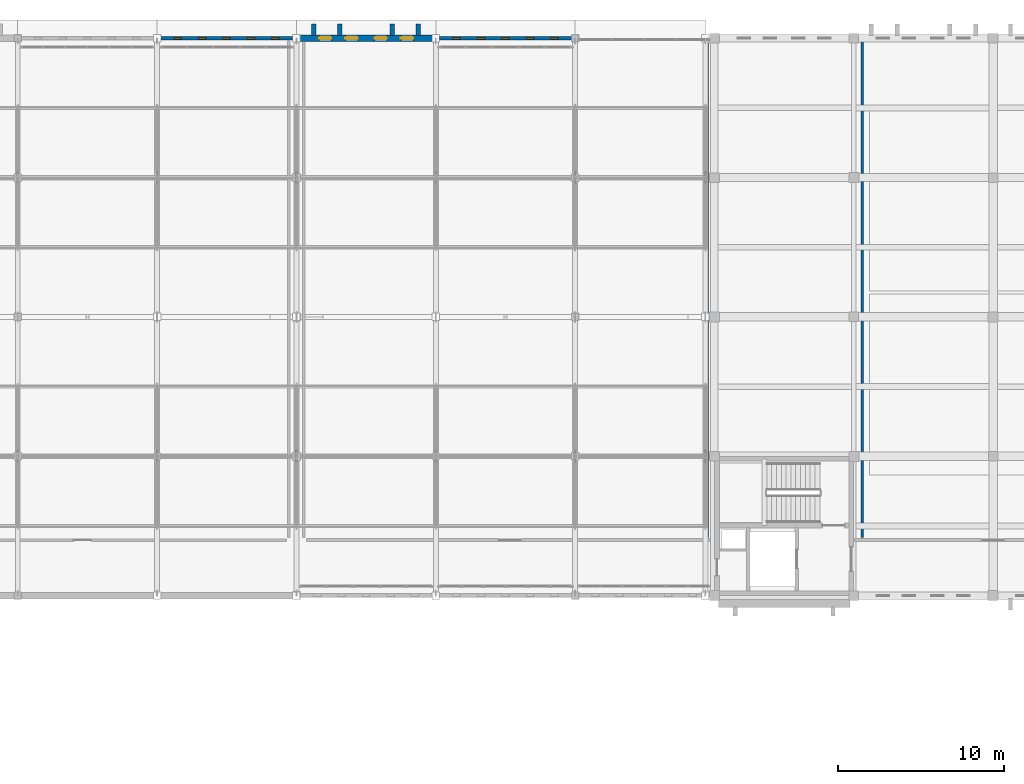
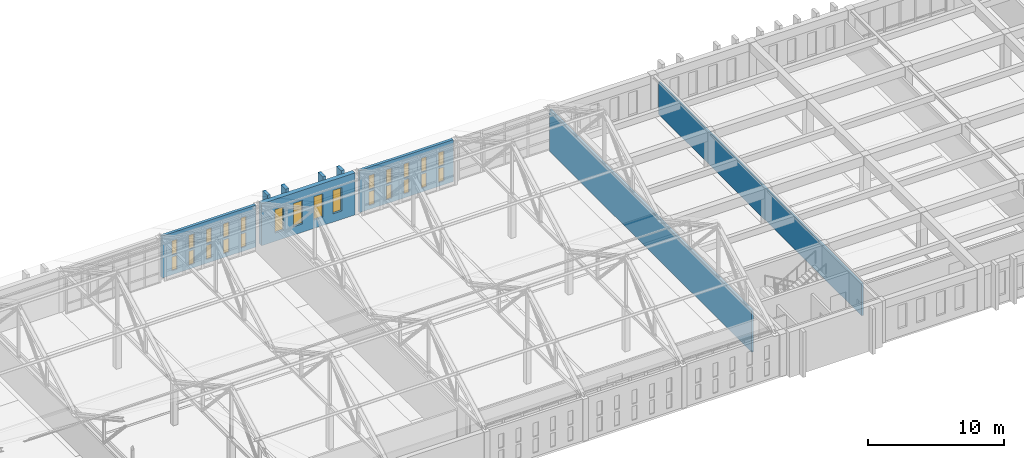
# One storey, part 94 of 110: 24 windows, 9 walls, 24 openings.
"""IFC4 building model written with IfcOpenShell, lengths in metres."""

from ifc_helpers import new_model, si_unit, direction, frame, frame_2d, origin, place, context, subcontext, project, spatial, rectangle, extrude, material, layer, layer_set, type_object, element, fill, save


model = new_model("IFC4")

# Units and contexts
model_context = context("Model", 3, precision=1e-05, world=origin(), true_north=direction((0.0, 1.0)))
body_context = subcontext(model_context, "Body", "Model", "MODEL_VIEW")
ifc_project = project(units=[si_unit("LENGTHUNIT", "METRE"), si_unit("AREAUNIT", "SQUARE_METRE"), si_unit("VOLUMEUNIT", "CUBIC_METRE"), si_unit("PLANEANGLEUNIT", "RADIAN"), si_unit("MASSUNIT", "GRAM", prefix="KILO")], contexts=[model_context])

# Site, building, storey
site_placement = place(None, origin())
site = spatial("IfcSite", under=ifc_project, at=site_placement, CompositionType="ELEMENT")
building_placement = place(site_placement, origin())
building = spatial("IfcBuilding", under=site, at=building_placement, Name="Kveldsbrygga Polytechnic", CompositionType="ELEMENT")
storey_placement = place(building_placement, frame((0.0, 0.0, 9.860107421875)))
storey = spatial("IfcBuildingStorey", under=building, at=storey_placement, Name="L02", CompositionType="ELEMENT", Elevation=9.860107421875)

# Wall, openings, windows
ifc_material_1 = material(Name="Fired clay brick masonry M10", Category="masonry")
ifc_layer_1 = layer(ifc_material_1, 0.3798828125)
ifc_layer_set_1 = layer_set([ifc_layer_1], Name="Fired clay brick masonry M10")
wall_type_1 = type_object("IfcWallType", Name="EW-BRICK-380", PredefinedType="SOLIDWALL", material=ifc_layer_set_1)
wall_1_placement = place(storey_placement, frame((75.824951171875, 117.60009765625, 0.0), z_axis=(0.0, 0.0, 1.0), x_axis=(1.0, 0.0, 0.0)))
wall_1 = element("IfcWall", 1, at=wall_1_placement, inside=storey, type_object=wall_type_1, Name="Exterior Brick Wall EW-L02-X-09-14", PredefinedType="SOLIDWALL", context=body_context, shape_type="SweptSolid", body=[
    extrude(rectangle(XDim=7.965087890625, YDim=0.3798828125, at=frame_2d((3.982421875, 0.0))), origin(), (0.0, 0.0, 1.0), 3.77978515625),
])
opening_1_placement = place(wall_1_placement, frame((1.138427734375, 0.0, 0.75)))
opening_1 = element("IfcOpeningElement", 2, at=opening_1_placement, cuts=wall_1, Name="Opening W-27", PredefinedType="OPENING", context=body_context, shape_type="SweptSolid", body=[
    extrude(rectangle(XDim=0.75, YDim=2.10009765625, at=frame_2d((0.375, 1.050048828125))), frame((0.0, 0.199951171875, 0.0), z_axis=(0.0, -1.0, 0.0), x_axis=(1.0, 0.0, 0.0)), (0.0, 0.0, 1.0), 0.39990234375),
])
opening_2_placement = place(wall_1_placement, frame((2.7314453125, 0.0, 0.75)))
opening_2 = element("IfcOpeningElement", 3, at=opening_2_placement, cuts=wall_1, Name="Opening W-27", PredefinedType="OPENING", context=body_context, shape_type="SweptSolid", body=[
    extrude(rectangle(XDim=0.75, YDim=2.10009765625, at=frame_2d((0.375, 1.050048828125))), frame((0.0, 0.199951171875, 0.0), z_axis=(0.0, -1.0, 0.0), x_axis=(1.0, 0.0, 0.0)), (0.0, 0.0, 1.0), 0.39990234375),
])
opening_3_placement = place(wall_1_placement, frame((4.483642578125, 0.0, 0.75)))
opening_3 = element("IfcOpeningElement", 4, at=opening_3_placement, cuts=wall_1, Name="Opening W-27", PredefinedType="OPENING", context=body_context, shape_type="SweptSolid", body=[
    extrude(rectangle(XDim=0.75, YDim=2.10009765625, at=frame_2d((0.375, 1.050048828125))), frame((0.0, 0.199951171875, 0.0), z_axis=(0.0, -1.0, 0.0), x_axis=(1.0, 0.0, 0.0)), (0.0, 0.0, 1.0), 0.39990234375),
])
opening_4_placement = place(wall_1_placement, frame((6.07666015625, 0.0, 0.75)))
opening_4 = element("IfcOpeningElement", 5, at=opening_4_placement, cuts=wall_1, Name="Opening W-27", PredefinedType="OPENING", context=body_context, shape_type="SweptSolid", body=[
    extrude(rectangle(XDim=0.75, YDim=2.10009765625, at=frame_2d((0.375, 1.050048828125))), frame((0.0, 0.199951171875, 0.0), z_axis=(0.0, -1.0, 0.0), x_axis=(1.0, 0.0, 0.0)), (0.0, 0.0, 1.0), 0.39990234375),
])
ifc_material_2 = material(Name="Insulated triple low-E glass", Category="glass")
window_type_1 = type_object("IfcWindowType", Name="WN-ATTIC-075x210", PartitioningType="DOUBLE_PANEL_VERTICAL", PredefinedType="WINDOW", material=ifc_material_2)
window_1_placement = place(opening_1_placement, origin())
window_1 = element("IfcWindow", 6, at=window_1_placement, inside=storey, type_object=window_type_1, Name="Gothic Lancet Window WIN-L02-X-09-14-1", OverallHeight=2.10009765625, OverallWidth=0.75, PartitioningType="DOUBLE_PANEL_VERTICAL", PredefinedType="WINDOW", context=body_context, shape_type="SweptSolid", body=[
    extrude(rectangle(XDim=0.75, YDim=2.10009765625, at=frame_2d((0.375, 1.050048828125))), frame((0.0, 0.030029296875, 0.0), z_axis=(0.0, -1.0, 0.0), x_axis=(1.0, 0.0, 0.0)), (0.0, 0.0, 1.0), 0.06005859375),
])
fill(opening_1, window_1)
window_2_placement = place(opening_2_placement, origin())
window_2 = element("IfcWindow", 7, at=window_2_placement, inside=storey, type_object=window_type_1, Name="Gothic Lancet Window WIN-L02-X-09-14-2", OverallHeight=2.10009765625, OverallWidth=0.75, PartitioningType="DOUBLE_PANEL_VERTICAL", PredefinedType="WINDOW", context=body_context, shape_type="SweptSolid", body=[
    extrude(rectangle(XDim=0.75, YDim=2.10009765625, at=frame_2d((0.375, 1.050048828125))), frame((0.0, 0.030029296875, 0.0), z_axis=(0.0, -1.0, 0.0), x_axis=(1.0, 0.0, 0.0)), (0.0, 0.0, 1.0), 0.06005859375),
])
fill(opening_2, window_2)
window_3_placement = place(opening_3_placement, origin())
window_3 = element("IfcWindow", 8, at=window_3_placement, inside=storey, type_object=window_type_1, Name="Gothic Lancet Window WIN-L02-X-09-14-3", OverallHeight=2.10009765625, OverallWidth=0.75, PartitioningType="DOUBLE_PANEL_VERTICAL", PredefinedType="WINDOW", context=body_context, shape_type="SweptSolid", body=[
    extrude(rectangle(XDim=0.75, YDim=2.10009765625, at=frame_2d((0.375, 1.050048828125))), frame((0.0, 0.030029296875, 0.0), z_axis=(0.0, -1.0, 0.0), x_axis=(1.0, 0.0, 0.0)), (0.0, 0.0, 1.0), 0.06005859375),
])
fill(opening_3, window_3)
window_4_placement = place(opening_4_placement, origin())
window_4 = element("IfcWindow", 9, at=window_4_placement, inside=storey, type_object=window_type_1, Name="Gothic Lancet Window WIN-L02-X-09-14-4", OverallHeight=2.10009765625, OverallWidth=0.75, PartitioningType="DOUBLE_PANEL_VERTICAL", PredefinedType="WINDOW", context=body_context, shape_type="SweptSolid", body=[
    extrude(rectangle(XDim=0.75, YDim=2.10009765625, at=frame_2d((0.375, 1.050048828125))), frame((0.0, 0.030029296875, 0.0), z_axis=(0.0, -1.0, 0.0), x_axis=(1.0, 0.0, 0.0)), (0.0, 0.0, 1.0), 0.06005859375),
])
fill(opening_4, window_4)

# Walls
ifc_layer_2 = layer(ifc_material_1, 0.260009765625)
ifc_layer_set_2 = layer_set([ifc_layer_2], Name="Fired clay brick masonry M10")
wall_type_2 = type_object("IfcWallType", Name="EW-BUTT-260", PredefinedType="SOLIDWALL", material=ifc_layer_set_2)
for number, where, z_axis, x_axis, name in (
    (10, (76.64990234375, 117.764892578125, 0.0), (0.0, 0.0, 1.0), (0.0, 1.0, 0.0), "Gothic Brick Buttress Pier BUTT-L02-X-09-14-1"),
    (11, (78.219970703125, 117.764892578125, 0.0), (0.0, 0.0, 1.0), (0.0, 1.0, 0.0), "Gothic Brick Buttress Pier BUTT-L02-X-09-14-2"),
    (12, (81.3798828125, 117.764892578125, 0.0), (0.0, 0.0, 1.0), (0.0, 1.0, 0.0), "Gothic Brick Buttress Pier BUTT-L02-X-09-14-4"),
    (13, (82.949951171875, 117.764892578125, 0.0), (0.0, 0.0, 1.0), (0.0, 1.0, 0.0), "Gothic Brick Buttress Pier BUTT-L02-X-09-14-5"),
):
    element("IfcWall", number, at=place(storey_placement, frame(where, z_axis=z_axis, x_axis=x_axis)), inside=storey, type_object=wall_type_2, Name=name, PredefinedType="SOLIDWALL", context=body_context, shape_type="SweptSolid", body=[
        extrude(rectangle(XDim=0.7001953125, YDim=0.260009765625, at=frame_2d((0.35009765625, 0.0))), origin(), (0.0, 0.0, 1.0), 4.079833984375),
    ])

# Wall, openings, windows
ifc_layer_3 = layer(ifc_material_1, 0.239990234375)
ifc_layer_set_3 = layer_set([ifc_layer_3], Name="Fired clay brick masonry M10")
wall_type_3 = type_object("IfcWallType", Name="EW-SCRN-240", PredefinedType="SOLIDWALL", material=ifc_layer_set_3)
wall_2_placement = place(storey_placement, frame((67.409912109375, 117.60009765625, 0.0), z_axis=(0.0, 0.0, 1.0), x_axis=(1.0, 0.0, 0.0)))
wall_2 = element("IfcWall", 14, at=wall_2_placement, inside=storey, type_object=wall_type_3, Name="Perforated Brick Corridor Screen Wall SCRW-L02-X-08-14", PredefinedType="SOLIDWALL", context=body_context, shape_type="SweptSolid", body=[
    extrude(rectangle(XDim=7.965087890625, YDim=0.239990234375, at=frame_2d((3.982421875, 0.0))), origin(), (0.0, 0.0, 1.0), 3.77978515625),
])
opening_5_placement = place(wall_2_placement, frame((0.81640625, 0.0, 0.35009765625)))
opening_5 = element("IfcOpeningElement", 15, at=opening_5_placement, cuts=wall_2, Name="Opening W-48", PredefinedType="OPENING", context=body_context, shape_type="SweptSolid", body=[
    extrude(rectangle(XDim=0.43994140625, YDim=1.25, at=frame_2d((0.219970703125, 0.625))), frame((0.0, 0.1298828125, 0.0), z_axis=(0.0, -1.0, 0.0), x_axis=(1.0, 0.0, 0.0)), (0.0, 0.0, 1.0), 0.260009765625),
])
opening_6_placement = place(wall_2_placement, frame((2.28955078125, 0.0, 0.35009765625)))
opening_6 = element("IfcOpeningElement", 16, at=opening_6_placement, cuts=wall_2, Name="Opening W-48", PredefinedType="OPENING", context=body_context, shape_type="SweptSolid", body=[
    extrude(rectangle(XDim=0.43994140625, YDim=1.25, at=frame_2d((0.219970703125, 0.625))), frame((0.0, 0.1298828125, 0.0), z_axis=(0.0, -1.0, 0.0), x_axis=(1.0, 0.0, 0.0)), (0.0, 0.0, 1.0), 0.260009765625),
])
opening_7_placement = place(wall_2_placement, frame((3.762451171875, 0.0, 0.35009765625)))
opening_7 = element("IfcOpeningElement", 17, at=opening_7_placement, cuts=wall_2, Name="Opening W-48", PredefinedType="OPENING", context=body_context, shape_type="SweptSolid", body=[
    extrude(rectangle(XDim=0.43994140625, YDim=1.25, at=frame_2d((0.219970703125, 0.625))), frame((0.0, 0.1298828125, 0.0), z_axis=(0.0, -1.0, 0.0), x_axis=(1.0, 0.0, 0.0)), (0.0, 0.0, 1.0), 0.260009765625),
])
opening_8_placement = place(wall_2_placement, frame((5.235595703125, 0.0, 0.35009765625)))
opening_8 = element("IfcOpeningElement", 18, at=opening_8_placement, cuts=wall_2, Name="Opening W-48", PredefinedType="OPENING", context=body_context, shape_type="SweptSolid", body=[
    extrude(rectangle(XDim=0.43994140625, YDim=1.25, at=frame_2d((0.219970703125, 0.625))), frame((0.0, 0.1298828125, 0.0), z_axis=(0.0, -1.0, 0.0), x_axis=(1.0, 0.0, 0.0)), (0.0, 0.0, 1.0), 0.260009765625),
])
opening_9_placement = place(wall_2_placement, frame((6.70849609375, 0.0, 0.35009765625)))
opening_9 = element("IfcOpeningElement", 19, at=opening_9_placement, cuts=wall_2, Name="Opening W-48", PredefinedType="OPENING", context=body_context, shape_type="SweptSolid", body=[
    extrude(rectangle(XDim=0.43994140625, YDim=1.25, at=frame_2d((0.219970703125, 0.625))), frame((0.0, 0.1298828125, 0.0), z_axis=(0.0, -1.0, 0.0), x_axis=(1.0, 0.0, 0.0)), (0.0, 0.0, 1.0), 0.260009765625),
])
opening_10_placement = place(wall_2_placement, frame((0.81640625, 0.0, 1.800048828125)))
opening_10 = element("IfcOpeningElement", 20, at=opening_10_placement, cuts=wall_2, Name="Opening W-48", PredefinedType="OPENING", context=body_context, shape_type="SweptSolid", body=[
    extrude(rectangle(XDim=0.43994140625, YDim=1.25, at=frame_2d((0.219970703125, 0.625))), frame((0.0, 0.1298828125, 0.0), z_axis=(0.0, -1.0, 0.0), x_axis=(1.0, 0.0, 0.0)), (0.0, 0.0, 1.0), 0.260009765625),
])
opening_11_placement = place(wall_2_placement, frame((2.28955078125, 0.0, 1.800048828125)))
opening_11 = element("IfcOpeningElement", 21, at=opening_11_placement, cuts=wall_2, Name="Opening W-48", PredefinedType="OPENING", context=body_context, shape_type="SweptSolid", body=[
    extrude(rectangle(XDim=0.43994140625, YDim=1.25, at=frame_2d((0.219970703125, 0.625))), frame((0.0, 0.1298828125, 0.0), z_axis=(0.0, -1.0, 0.0), x_axis=(1.0, 0.0, 0.0)), (0.0, 0.0, 1.0), 0.260009765625),
])
opening_12_placement = place(wall_2_placement, frame((3.762451171875, 0.0, 1.800048828125)))
opening_12 = element("IfcOpeningElement", 22, at=opening_12_placement, cuts=wall_2, Name="Opening W-48", PredefinedType="OPENING", context=body_context, shape_type="SweptSolid", body=[
    extrude(rectangle(XDim=0.43994140625, YDim=1.25, at=frame_2d((0.219970703125, 0.625))), frame((0.0, 0.1298828125, 0.0), z_axis=(0.0, -1.0, 0.0), x_axis=(1.0, 0.0, 0.0)), (0.0, 0.0, 1.0), 0.260009765625),
])
opening_13_placement = place(wall_2_placement, frame((5.235595703125, 0.0, 1.800048828125)))
opening_13 = element("IfcOpeningElement", 23, at=opening_13_placement, cuts=wall_2, Name="Opening W-48", PredefinedType="OPENING", context=body_context, shape_type="SweptSolid", body=[
    extrude(rectangle(XDim=0.43994140625, YDim=1.25, at=frame_2d((0.219970703125, 0.625))), frame((0.0, 0.1298828125, 0.0), z_axis=(0.0, -1.0, 0.0), x_axis=(1.0, 0.0, 0.0)), (0.0, 0.0, 1.0), 0.260009765625),
])
opening_14_placement = place(wall_2_placement, frame((6.70849609375, 0.0, 1.800048828125)))
opening_14 = element("IfcOpeningElement", 24, at=opening_14_placement, cuts=wall_2, Name="Opening W-48", PredefinedType="OPENING", context=body_context, shape_type="SweptSolid", body=[
    extrude(rectangle(XDim=0.43994140625, YDim=1.25, at=frame_2d((0.219970703125, 0.625))), frame((0.0, 0.1298828125, 0.0), z_axis=(0.0, -1.0, 0.0), x_axis=(1.0, 0.0, 0.0)), (0.0, 0.0, 1.0), 0.260009765625),
])
window_type_2 = type_object("IfcWindowType", Name="WN-SCRN-044x125", PartitioningType="SINGLE_PANEL", PredefinedType="WINDOW", material=ifc_material_2)
window_5_placement = place(opening_5_placement, origin())
window_5 = element("IfcWindow", 25, at=window_5_placement, inside=storey, type_object=window_type_2, Name="Perforated Screen Aperture L02-X-08-14-1", OverallHeight=1.25, OverallWidth=0.43994140625, PartitioningType="SINGLE_PANEL", PredefinedType="WINDOW", context=body_context, shape_type="SweptSolid", body=[
    extrude(rectangle(XDim=0.43994140625, YDim=1.25, at=frame_2d((0.219970703125, 0.625))), frame((0.0, 0.030029296875, 0.0), z_axis=(0.0, -1.0, 0.0), x_axis=(1.0, 0.0, 0.0)), (0.0, 0.0, 1.0), 0.06005859375),
])
fill(opening_5, window_5)
window_6_placement = place(opening_6_placement, origin())
window_6 = element("IfcWindow", 26, at=window_6_placement, inside=storey, type_object=window_type_2, Name="Perforated Screen Aperture L02-X-08-14-2", OverallHeight=1.25, OverallWidth=0.43994140625, PartitioningType="SINGLE_PANEL", PredefinedType="WINDOW", context=body_context, shape_type="SweptSolid", body=[
    extrude(rectangle(XDim=0.43994140625, YDim=1.25, at=frame_2d((0.219970703125, 0.625))), frame((0.0, 0.030029296875, 0.0), z_axis=(0.0, -1.0, 0.0), x_axis=(1.0, 0.0, 0.0)), (0.0, 0.0, 1.0), 0.06005859375),
])
fill(opening_6, window_6)
window_7_placement = place(opening_7_placement, origin())
window_7 = element("IfcWindow", 27, at=window_7_placement, inside=storey, type_object=window_type_2, Name="Perforated Screen Aperture L02-X-08-14-3", OverallHeight=1.25, OverallWidth=0.43994140625, PartitioningType="SINGLE_PANEL", PredefinedType="WINDOW", context=body_context, shape_type="SweptSolid", body=[
    extrude(rectangle(XDim=0.43994140625, YDim=1.25, at=frame_2d((0.219970703125, 0.625))), frame((0.0, 0.030029296875, 0.0), z_axis=(0.0, -1.0, 0.0), x_axis=(1.0, 0.0, 0.0)), (0.0, 0.0, 1.0), 0.06005859375),
])
fill(opening_7, window_7)
window_8_placement = place(opening_8_placement, origin())
window_8 = element("IfcWindow", 28, at=window_8_placement, inside=storey, type_object=window_type_2, Name="Perforated Screen Aperture L02-X-08-14-4", OverallHeight=1.25, OverallWidth=0.43994140625, PartitioningType="SINGLE_PANEL", PredefinedType="WINDOW", context=body_context, shape_type="SweptSolid", body=[
    extrude(rectangle(XDim=0.43994140625, YDim=1.25, at=frame_2d((0.219970703125, 0.625))), frame((0.0, 0.030029296875, 0.0), z_axis=(0.0, -1.0, 0.0), x_axis=(1.0, 0.0, 0.0)), (0.0, 0.0, 1.0), 0.06005859375),
])
fill(opening_8, window_8)
window_9_placement = place(opening_9_placement, origin())
window_9 = element("IfcWindow", 29, at=window_9_placement, inside=storey, type_object=window_type_2, Name="Perforated Screen Aperture L02-X-08-14-5", OverallHeight=1.25, OverallWidth=0.43994140625, PartitioningType="SINGLE_PANEL", PredefinedType="WINDOW", context=body_context, shape_type="SweptSolid", body=[
    extrude(rectangle(XDim=0.43994140625, YDim=1.25, at=frame_2d((0.219970703125, 0.625))), frame((0.0, 0.030029296875, 0.0), z_axis=(0.0, -1.0, 0.0), x_axis=(1.0, 0.0, 0.0)), (0.0, 0.0, 1.0), 0.06005859375),
])
fill(opening_9, window_9)
window_10_placement = place(opening_10_placement, origin())
window_10 = element("IfcWindow", 30, at=window_10_placement, inside=storey, type_object=window_type_2, Name="Perforated Screen Aperture L02-X-08-14-6", OverallHeight=1.25, OverallWidth=0.43994140625, PartitioningType="SINGLE_PANEL", PredefinedType="WINDOW", context=body_context, shape_type="SweptSolid", body=[
    extrude(rectangle(XDim=0.43994140625, YDim=1.25, at=frame_2d((0.219970703125, 0.625))), frame((0.0, 0.030029296875, 0.0), z_axis=(0.0, -1.0, 0.0), x_axis=(1.0, 0.0, 0.0)), (0.0, 0.0, 1.0), 0.06005859375),
])
fill(opening_10, window_10)
window_11_placement = place(opening_11_placement, origin())
window_11 = element("IfcWindow", 31, at=window_11_placement, inside=storey, type_object=window_type_2, Name="Perforated Screen Aperture L02-X-08-14-7", OverallHeight=1.25, OverallWidth=0.43994140625, PartitioningType="SINGLE_PANEL", PredefinedType="WINDOW", context=body_context, shape_type="SweptSolid", body=[
    extrude(rectangle(XDim=0.43994140625, YDim=1.25, at=frame_2d((0.219970703125, 0.625))), frame((0.0, 0.030029296875, 0.0), z_axis=(0.0, -1.0, 0.0), x_axis=(1.0, 0.0, 0.0)), (0.0, 0.0, 1.0), 0.06005859375),
])
fill(opening_11, window_11)
window_12_placement = place(opening_12_placement, origin())
window_12 = element("IfcWindow", 32, at=window_12_placement, inside=storey, type_object=window_type_2, Name="Perforated Screen Aperture L02-X-08-14-8", OverallHeight=1.25, OverallWidth=0.43994140625, PartitioningType="SINGLE_PANEL", PredefinedType="WINDOW", context=body_context, shape_type="SweptSolid", body=[
    extrude(rectangle(XDim=0.43994140625, YDim=1.25, at=frame_2d((0.219970703125, 0.625))), frame((0.0, 0.030029296875, 0.0), z_axis=(0.0, -1.0, 0.0), x_axis=(1.0, 0.0, 0.0)), (0.0, 0.0, 1.0), 0.06005859375),
])
fill(opening_12, window_12)
window_13_placement = place(opening_13_placement, origin())
window_13 = element("IfcWindow", 33, at=window_13_placement, inside=storey, type_object=window_type_2, Name="Perforated Screen Aperture L02-X-08-14-9", OverallHeight=1.25, OverallWidth=0.43994140625, PartitioningType="SINGLE_PANEL", PredefinedType="WINDOW", context=body_context, shape_type="SweptSolid", body=[
    extrude(rectangle(XDim=0.43994140625, YDim=1.25, at=frame_2d((0.219970703125, 0.625))), frame((0.0, 0.030029296875, 0.0), z_axis=(0.0, -1.0, 0.0), x_axis=(1.0, 0.0, 0.0)), (0.0, 0.0, 1.0), 0.06005859375),
])
fill(opening_13, window_13)
window_14_placement = place(opening_14_placement, origin())
window_14 = element("IfcWindow", 34, at=window_14_placement, inside=storey, type_object=window_type_2, Name="Perforated Screen Aperture L02-X-08-14-10", OverallHeight=1.25, OverallWidth=0.43994140625, PartitioningType="SINGLE_PANEL", PredefinedType="WINDOW", context=body_context, shape_type="SweptSolid", body=[
    extrude(rectangle(XDim=0.43994140625, YDim=1.25, at=frame_2d((0.219970703125, 0.625))), frame((0.0, 0.030029296875, 0.0), z_axis=(0.0, -1.0, 0.0), x_axis=(1.0, 0.0, 0.0)), (0.0, 0.0, 1.0), 0.06005859375),
])
fill(opening_14, window_14)

wall_3_placement = place(storey_placement, frame((84.2099609375, 117.60009765625, 0.0), z_axis=(0.0, 0.0, 1.0), x_axis=(1.0, 0.0, 0.0)))
wall_3 = element("IfcWall", 35, at=wall_3_placement, inside=storey, type_object=wall_type_3, Name="Perforated Brick Corridor Screen Wall SCRW-L02-X-10-14", PredefinedType="SOLIDWALL", context=body_context, shape_type="SweptSolid", body=[
    extrude(rectangle(XDim=7.9951171875, YDim=0.239990234375, at=frame_2d((3.99755859375, 0.0))), origin(), (0.0, 0.0, 1.0), 3.77978515625),
])
opening_15_placement = place(wall_3_placement, frame((0.819580078125, 0.0, 0.35009765625)))
opening_15 = element("IfcOpeningElement", 36, at=opening_15_placement, cuts=wall_3, Name="Opening W-48", PredefinedType="OPENING", context=body_context, shape_type="SweptSolid", body=[
    extrude(rectangle(XDim=0.43994140625, YDim=1.25, at=frame_2d((0.219970703125, 0.625))), frame((0.0, 0.1298828125, 0.0), z_axis=(0.0, -1.0, 0.0), x_axis=(1.0, 0.0, 0.0)), (0.0, 0.0, 1.0), 0.260009765625),
])
opening_16_placement = place(wall_3_placement, frame((2.298583984375, 0.0, 0.35009765625)))
opening_16 = element("IfcOpeningElement", 37, at=opening_16_placement, cuts=wall_3, Name="Opening W-48", PredefinedType="OPENING", context=body_context, shape_type="SweptSolid", body=[
    extrude(rectangle(XDim=0.43994140625, YDim=1.25, at=frame_2d((0.219970703125, 0.625))), frame((0.0, 0.1298828125, 0.0), z_axis=(0.0, -1.0, 0.0), x_axis=(1.0, 0.0, 0.0)), (0.0, 0.0, 1.0), 0.260009765625),
])
opening_17_placement = place(wall_3_placement, frame((3.777587890625, 0.0, 0.35009765625)))
opening_17 = element("IfcOpeningElement", 38, at=opening_17_placement, cuts=wall_3, Name="Opening W-48", PredefinedType="OPENING", context=body_context, shape_type="SweptSolid", body=[
    extrude(rectangle(XDim=0.43994140625, YDim=1.25, at=frame_2d((0.219970703125, 0.625))), frame((0.0, 0.1298828125, 0.0), z_axis=(0.0, -1.0, 0.0), x_axis=(1.0, 0.0, 0.0)), (0.0, 0.0, 1.0), 0.260009765625),
])
opening_18_placement = place(wall_3_placement, frame((5.256591796875, 0.0, 0.35009765625)))
opening_18 = element("IfcOpeningElement", 39, at=opening_18_placement, cuts=wall_3, Name="Opening W-48", PredefinedType="OPENING", context=body_context, shape_type="SweptSolid", body=[
    extrude(rectangle(XDim=0.43994140625, YDim=1.25, at=frame_2d((0.219970703125, 0.625))), frame((0.0, 0.1298828125, 0.0), z_axis=(0.0, -1.0, 0.0), x_axis=(1.0, 0.0, 0.0)), (0.0, 0.0, 1.0), 0.260009765625),
])
opening_19_placement = place(wall_3_placement, frame((6.735595703125, 0.0, 0.35009765625)))
opening_19 = element("IfcOpeningElement", 40, at=opening_19_placement, cuts=wall_3, Name="Opening W-48", PredefinedType="OPENING", context=body_context, shape_type="SweptSolid", body=[
    extrude(rectangle(XDim=0.43994140625, YDim=1.25, at=frame_2d((0.219970703125, 0.625))), frame((0.0, 0.1298828125, 0.0), z_axis=(0.0, -1.0, 0.0), x_axis=(1.0, 0.0, 0.0)), (0.0, 0.0, 1.0), 0.260009765625),
])
opening_20_placement = place(wall_3_placement, frame((0.819580078125, 0.0, 1.800048828125)))
opening_20 = element("IfcOpeningElement", 41, at=opening_20_placement, cuts=wall_3, Name="Opening W-48", PredefinedType="OPENING", context=body_context, shape_type="SweptSolid", body=[
    extrude(rectangle(XDim=0.43994140625, YDim=1.25, at=frame_2d((0.219970703125, 0.625))), frame((0.0, 0.1298828125, 0.0), z_axis=(0.0, -1.0, 0.0), x_axis=(1.0, 0.0, 0.0)), (0.0, 0.0, 1.0), 0.260009765625),
])
opening_21_placement = place(wall_3_placement, frame((2.298583984375, 0.0, 1.800048828125)))
opening_21 = element("IfcOpeningElement", 42, at=opening_21_placement, cuts=wall_3, Name="Opening W-48", PredefinedType="OPENING", context=body_context, shape_type="SweptSolid", body=[
    extrude(rectangle(XDim=0.43994140625, YDim=1.25, at=frame_2d((0.219970703125, 0.625))), frame((0.0, 0.1298828125, 0.0), z_axis=(0.0, -1.0, 0.0), x_axis=(1.0, 0.0, 0.0)), (0.0, 0.0, 1.0), 0.260009765625),
])
opening_22_placement = place(wall_3_placement, frame((3.777587890625, 0.0, 1.800048828125)))
opening_22 = element("IfcOpeningElement", 43, at=opening_22_placement, cuts=wall_3, Name="Opening W-48", PredefinedType="OPENING", context=body_context, shape_type="SweptSolid", body=[
    extrude(rectangle(XDim=0.43994140625, YDim=1.25, at=frame_2d((0.219970703125, 0.625))), frame((0.0, 0.1298828125, 0.0), z_axis=(0.0, -1.0, 0.0), x_axis=(1.0, 0.0, 0.0)), (0.0, 0.0, 1.0), 0.260009765625),
])
opening_23_placement = place(wall_3_placement, frame((5.256591796875, 0.0, 1.800048828125)))
opening_23 = element("IfcOpeningElement", 44, at=opening_23_placement, cuts=wall_3, Name="Opening W-48", PredefinedType="OPENING", context=body_context, shape_type="SweptSolid", body=[
    extrude(rectangle(XDim=0.43994140625, YDim=1.25, at=frame_2d((0.219970703125, 0.625))), frame((0.0, 0.1298828125, 0.0), z_axis=(0.0, -1.0, 0.0), x_axis=(1.0, 0.0, 0.0)), (0.0, 0.0, 1.0), 0.260009765625),
])
opening_24_placement = place(wall_3_placement, frame((6.735595703125, 0.0, 1.800048828125)))
opening_24 = element("IfcOpeningElement", 45, at=opening_24_placement, cuts=wall_3, Name="Opening W-48", PredefinedType="OPENING", context=body_context, shape_type="SweptSolid", body=[
    extrude(rectangle(XDim=0.43994140625, YDim=1.25, at=frame_2d((0.219970703125, 0.625))), frame((0.0, 0.1298828125, 0.0), z_axis=(0.0, -1.0, 0.0), x_axis=(1.0, 0.0, 0.0)), (0.0, 0.0, 1.0), 0.260009765625),
])
window_15_placement = place(opening_15_placement, origin())
window_15 = element("IfcWindow", 46, at=window_15_placement, inside=storey, type_object=window_type_2, Name="Perforated Screen Aperture L02-X-10-14-1", OverallHeight=1.25, OverallWidth=0.43994140625, PartitioningType="SINGLE_PANEL", PredefinedType="WINDOW", context=body_context, shape_type="SweptSolid", body=[
    extrude(rectangle(XDim=0.43994140625, YDim=1.25, at=frame_2d((0.219970703125, 0.625))), frame((0.0, 0.030029296875, 0.0), z_axis=(0.0, -1.0, 0.0), x_axis=(1.0, 0.0, 0.0)), (0.0, 0.0, 1.0), 0.06005859375),
])
fill(opening_15, window_15)
window_16_placement = place(opening_16_placement, origin())
window_16 = element("IfcWindow", 47, at=window_16_placement, inside=storey, type_object=window_type_2, Name="Perforated Screen Aperture L02-X-10-14-2", OverallHeight=1.25, OverallWidth=0.43994140625, PartitioningType="SINGLE_PANEL", PredefinedType="WINDOW", context=body_context, shape_type="SweptSolid", body=[
    extrude(rectangle(XDim=0.43994140625, YDim=1.25, at=frame_2d((0.219970703125, 0.625))), frame((0.0, 0.030029296875, 0.0), z_axis=(0.0, -1.0, 0.0), x_axis=(1.0, 0.0, 0.0)), (0.0, 0.0, 1.0), 0.06005859375),
])
fill(opening_16, window_16)
window_17_placement = place(opening_17_placement, origin())
window_17 = element("IfcWindow", 48, at=window_17_placement, inside=storey, type_object=window_type_2, Name="Perforated Screen Aperture L02-X-10-14-3", OverallHeight=1.25, OverallWidth=0.43994140625, PartitioningType="SINGLE_PANEL", PredefinedType="WINDOW", context=body_context, shape_type="SweptSolid", body=[
    extrude(rectangle(XDim=0.43994140625, YDim=1.25, at=frame_2d((0.219970703125, 0.625))), frame((0.0, 0.030029296875, 0.0), z_axis=(0.0, -1.0, 0.0), x_axis=(1.0, 0.0, 0.0)), (0.0, 0.0, 1.0), 0.06005859375),
])
fill(opening_17, window_17)
window_18_placement = place(opening_18_placement, origin())
window_18 = element("IfcWindow", 49, at=window_18_placement, inside=storey, type_object=window_type_2, Name="Perforated Screen Aperture L02-X-10-14-4", OverallHeight=1.25, OverallWidth=0.43994140625, PartitioningType="SINGLE_PANEL", PredefinedType="WINDOW", context=body_context, shape_type="SweptSolid", body=[
    extrude(rectangle(XDim=0.43994140625, YDim=1.25, at=frame_2d((0.219970703125, 0.625))), frame((0.0, 0.030029296875, 0.0), z_axis=(0.0, -1.0, 0.0), x_axis=(1.0, 0.0, 0.0)), (0.0, 0.0, 1.0), 0.06005859375),
])
fill(opening_18, window_18)
window_19_placement = place(opening_19_placement, origin())
window_19 = element("IfcWindow", 50, at=window_19_placement, inside=storey, type_object=window_type_2, Name="Perforated Screen Aperture L02-X-10-14-5", OverallHeight=1.25, OverallWidth=0.43994140625, PartitioningType="SINGLE_PANEL", PredefinedType="WINDOW", context=body_context, shape_type="SweptSolid", body=[
    extrude(rectangle(XDim=0.43994140625, YDim=1.25, at=frame_2d((0.219970703125, 0.625))), frame((0.0, 0.030029296875, 0.0), z_axis=(0.0, -1.0, 0.0), x_axis=(1.0, 0.0, 0.0)), (0.0, 0.0, 1.0), 0.06005859375),
])
fill(opening_19, window_19)
window_20_placement = place(opening_20_placement, origin())
window_20 = element("IfcWindow", 51, at=window_20_placement, inside=storey, type_object=window_type_2, Name="Perforated Screen Aperture L02-X-10-14-6", OverallHeight=1.25, OverallWidth=0.43994140625, PartitioningType="SINGLE_PANEL", PredefinedType="WINDOW", context=body_context, shape_type="SweptSolid", body=[
    extrude(rectangle(XDim=0.43994140625, YDim=1.25, at=frame_2d((0.219970703125, 0.625))), frame((0.0, 0.030029296875, 0.0), z_axis=(0.0, -1.0, 0.0), x_axis=(1.0, 0.0, 0.0)), (0.0, 0.0, 1.0), 0.06005859375),
])
fill(opening_20, window_20)
window_21_placement = place(opening_21_placement, origin())
window_21 = element("IfcWindow", 52, at=window_21_placement, inside=storey, type_object=window_type_2, Name="Perforated Screen Aperture L02-X-10-14-7", OverallHeight=1.25, OverallWidth=0.43994140625, PartitioningType="SINGLE_PANEL", PredefinedType="WINDOW", context=body_context, shape_type="SweptSolid", body=[
    extrude(rectangle(XDim=0.43994140625, YDim=1.25, at=frame_2d((0.219970703125, 0.625))), frame((0.0, 0.030029296875, 0.0), z_axis=(0.0, -1.0, 0.0), x_axis=(1.0, 0.0, 0.0)), (0.0, 0.0, 1.0), 0.06005859375),
])
fill(opening_21, window_21)
window_22_placement = place(opening_22_placement, origin())
window_22 = element("IfcWindow", 53, at=window_22_placement, inside=storey, type_object=window_type_2, Name="Perforated Screen Aperture L02-X-10-14-8", OverallHeight=1.25, OverallWidth=0.43994140625, PartitioningType="SINGLE_PANEL", PredefinedType="WINDOW", context=body_context, shape_type="SweptSolid", body=[
    extrude(rectangle(XDim=0.43994140625, YDim=1.25, at=frame_2d((0.219970703125, 0.625))), frame((0.0, 0.030029296875, 0.0), z_axis=(0.0, -1.0, 0.0), x_axis=(1.0, 0.0, 0.0)), (0.0, 0.0, 1.0), 0.06005859375),
])
fill(opening_22, window_22)
window_23_placement = place(opening_23_placement, origin())
window_23 = element("IfcWindow", 54, at=window_23_placement, inside=storey, type_object=window_type_2, Name="Perforated Screen Aperture L02-X-10-14-9", OverallHeight=1.25, OverallWidth=0.43994140625, PartitioningType="SINGLE_PANEL", PredefinedType="WINDOW", context=body_context, shape_type="SweptSolid", body=[
    extrude(rectangle(XDim=0.43994140625, YDim=1.25, at=frame_2d((0.219970703125, 0.625))), frame((0.0, 0.030029296875, 0.0), z_axis=(0.0, -1.0, 0.0), x_axis=(1.0, 0.0, 0.0)), (0.0, 0.0, 1.0), 0.06005859375),
])
fill(opening_23, window_23)
window_24_placement = place(opening_24_placement, origin())
window_24 = element("IfcWindow", 55, at=window_24_placement, inside=storey, type_object=window_type_2, Name="Perforated Screen Aperture L02-X-10-14-10", OverallHeight=1.25, OverallWidth=0.43994140625, PartitioningType="SINGLE_PANEL", PredefinedType="WINDOW", context=body_context, shape_type="SweptSolid", body=[
    extrude(rectangle(XDim=0.43994140625, YDim=1.25, at=frame_2d((0.219970703125, 0.625))), frame((0.0, 0.030029296875, 0.0), z_axis=(0.0, -1.0, 0.0), x_axis=(1.0, 0.0, 0.0)), (0.0, 0.0, 1.0), 0.06005859375),
])
fill(opening_24, window_24)

# Walls
ifc_material_3 = material(Name="Gypsum acoustic stud partition")
ifc_layer_4 = layer(ifc_material_3, 0.159912109375)
ifc_layer_set_4 = layer_set([ifc_layer_4], Name="Gypsum acoustic stud partition")
wall_type_4 = type_object("IfcWallType", Name="IW-STD-160", PredefinedType="PARTITIONING", material=ifc_layer_set_4)
wall_4_placement = place(storey_placement, frame((100.35009765625, 87.5, 0.0), z_axis=(0.0, 0.0, 1.0), x_axis=(0.0, 1.0, 0.0)))
element("IfcWall", 56, at=wall_4_placement, inside=storey, type_object=wall_type_4, Name="Partition Wall IW-SP-L02-STD21-E1", PredefinedType="PARTITIONING", context=body_context, shape_type="SweptSolid", body=[
    extrude(rectangle(XDim=29.820068359375, YDim=0.159912109375, at=frame_2d((14.91015625, 0.0))), origin(), (0.0, 0.0, 1.0), 3.77978515625),
])
wall_5_placement = place(storey_placement, frame((109.699951171875, 87.5, 0.0), z_axis=(0.0, 0.0, 1.0), x_axis=(0.0, 1.0, 0.0)))
element("IfcWall", 57, at=wall_5_placement, inside=storey, type_object=wall_type_4, Name="Partition Wall IW-SP-L02-STD23-W1", PredefinedType="PARTITIONING", context=body_context, shape_type="SweptSolid", body=[
    extrude(rectangle(XDim=29.919921875, YDim=0.159912109375, at=frame_2d((14.9599609375, 0.0))), origin(), (0.0, 0.0, 1.0), 2.909912109375),
])

save(model, "model.ifc")
